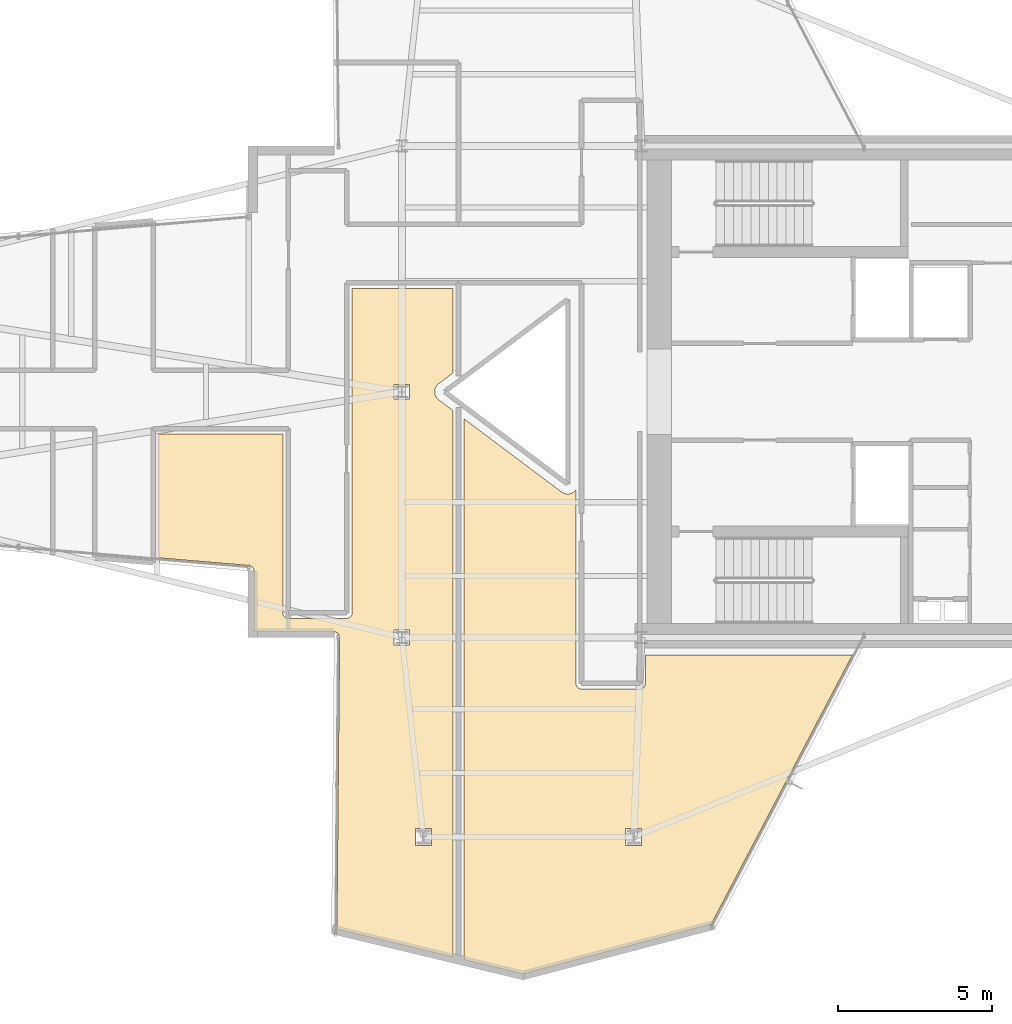
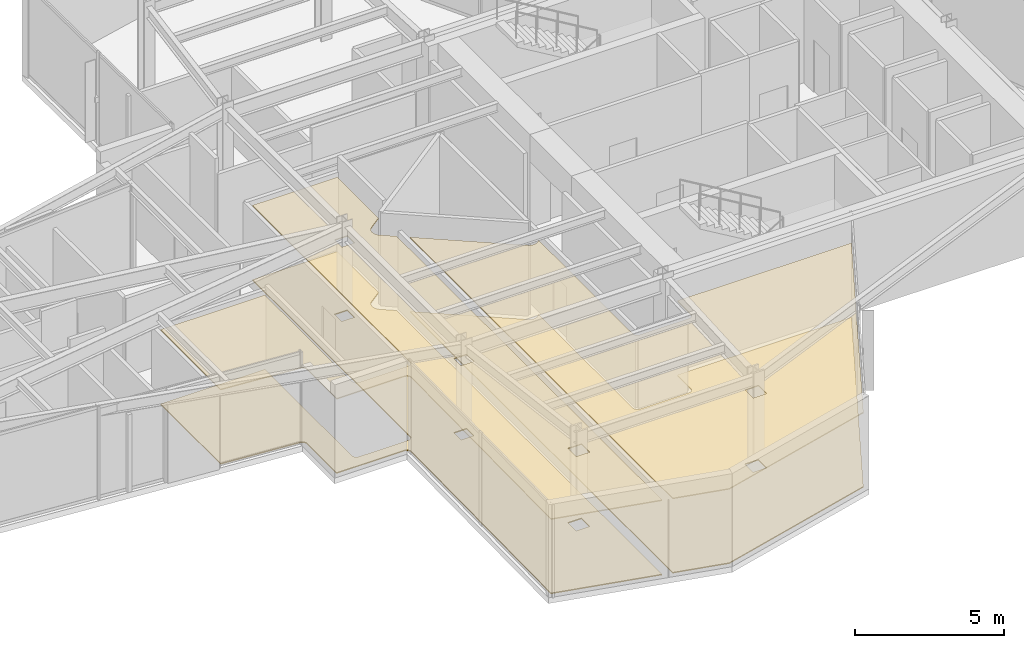
# One storey, part 24 of 25: 4 coverings.
"""IFC4 building model written with IfcOpenShell, lengths in metres."""

from ifc_helpers import new_model, si_unit, direction, frame, origin, place, context, subcontext, project, spatial, polyline, outline, extrude, material, layer, layer_set, type_object, element, save


model = new_model("IFC4")

# Units and contexts
model_context = context("Model", 3, precision=1e-05, world=origin(), true_north=direction((0.0, 1.0)))
body_context = subcontext(model_context, "Body", "Model", "MODEL_VIEW")
ifc_project = project(units=[si_unit("LENGTHUNIT", "METRE"), si_unit("AREAUNIT", "SQUARE_METRE"), si_unit("VOLUMEUNIT", "CUBIC_METRE"), si_unit("PLANEANGLEUNIT", "RADIAN"), si_unit("MASSUNIT", "GRAM", prefix="KILO")], contexts=[model_context])

# Site, building, storey
site_placement = place(None, origin())
site = spatial("IfcSite", under=ifc_project, at=site_placement, CompositionType="ELEMENT")
building_placement = place(site_placement, origin())
building = spatial("IfcBuilding", under=site, at=building_placement, Name="Veymaron Broadcast Tower", CompositionType="ELEMENT")
storey_placement = place(building_placement, frame((0.0, 0.0, 145.199951171875)))
storey = spatial("IfcBuildingStorey", under=building, at=storey_placement, Name="L33", CompositionType="ELEMENT", Elevation=145.199951171875)

# Coverings
ifc_material_1 = material(Name="Perforated acoustic mineral-fibre ceiling tile", Category="gypsum")
ifc_layer_1 = layer(ifc_material_1, 0.0400390625)
ifc_layer_set_1 = layer_set([ifc_layer_1], Name="Perforated acoustic mineral-fibre ceiling tile")
covering_type_1 = type_object("IfcCoveringType", Name="COV-CEIL-ACT", PredefinedType="CEILING", material=ifc_layer_set_1)
covering_1_placement = place(storey_placement, frame((0.0, 0.0, 3.0400390625)))
element("IfcCovering", 1, at=covering_1_placement, inside=storey, type_object=covering_type_1, Name="L33 suspended acoustic ceiling 1", PredefinedType="CEILING", context=body_context, shape_type="SweptSolid", body=[
    extrude(outline(polyline([(36.5869140625, 20.67041015625), (36.601318359375, 20.670166015625), (36.61865234375, 20.670654296875), (36.633056640625, 20.671875), (36.650390625, 20.673828125), (36.66455078125, 20.676513671875), (36.681396484375, 20.680419921875), (36.6953125, 20.68408203125), (36.711669921875, 20.689697265625), (36.72509765625, 20.69482421875), (36.740966796875, 20.701904296875), (36.75390625, 20.708251953125), (36.76904296875, 20.716796875), (36.78125, 20.724365234375), (36.79541015625, 20.734375), (36.806884765625, 20.7431640625), (36.820068359375, 20.75439453125), (36.830810546875, 20.76416015625), (36.8427734375, 20.776611328125), (36.852294921875, 20.787353515625), (36.863037109375, 20.801025390625), (36.8701171875, 20.810546875), (36.8701171875, 14.5), (36.870849609375, 14.482421875), (36.87353515625, 14.46484375), (36.877685546875, 14.44775390625), (36.8837890625, 14.43115234375), (36.891357421875, 14.4150390625), (36.900390625, 14.39990234375), (36.910888671875, 14.3857421875), (36.922607421875, 14.372802734375), (36.935791015625, 14.36083984375), (36.949951171875, 14.350341796875), (36.965087890625, 14.34130859375), (36.981201171875, 14.333740234375), (36.997802734375, 14.327880859375), (37.014892578125, 14.323486328125), (37.032470703125, 14.32080078125), (37.050048828125, 14.320068359375), (38.949951171875, 14.320068359375), (38.967529296875, 14.32080078125), (38.985107421875, 14.323486328125), (39.002197265625, 14.327880859375), (39.018798828125, 14.333740234375), (39.034912109375, 14.34130859375), (39.050048828125, 14.350341796875), (39.064208984375, 14.36083984375), (39.077392578125, 14.372802734375), (39.089111328125, 14.3857421875), (39.099609375, 14.39990234375), (39.108642578125, 14.4150390625), (39.1162109375, 14.43115234375), (39.122314453125, 14.44775390625), (39.12646484375, 14.46484375), (39.129150390625, 14.482421875), (39.1298828125, 14.5), (39.1298828125, 15.419921875), (45.872802734375, 15.419921875), (44.792236328125, 13.359619140625), (41.275146484375, 6.65380859375), (35.14794921875, 5.03564453125), (33.22412109375, 5.49755859375), (33.22412109375, 23.119384765625), (36.402099609375, 20.736083984375), (36.4091796875, 20.73095703125), (36.4208984375, 20.722900390625), (36.435791015625, 20.7138671875), (36.448486328125, 20.70703125), (36.464111328125, 20.699462890625), (36.477294921875, 20.693603515625), (36.49365234375, 20.687744140625), (36.50732421875, 20.683349609375), (36.524169921875, 20.678955078125), (36.5380859375, 20.67578125), (36.555419921875, 20.673095703125), (36.569580078125, 20.67138671875), (36.5869140625, 20.67041015625)]), holes=[polyline([(39.009033203125, 9.777587890625), (38.490966796875, 9.777587890625), (38.490966796875, 9.222412109375), (39.009033203125, 9.222412109375), (39.009033203125, 9.777587890625)])]), origin(), (0.0, 0.0, 1.0), 0.0400390625),
])
covering_2_placement = place(storey_placement, frame((0.0, 0.0, 3.0400390625)))
element("IfcCovering", 2, at=covering_2_placement, inside=storey, type_object=covering_type_1, Name="L33 suspended acoustic ceiling 2", PredefinedType="CEILING", context=body_context, shape_type="SweptSolid", body=[
    extrude(outline(polyline([(27.43115234375, 16.6337890625), (27.44775390625, 16.627685546875), (27.46484375, 16.62353515625), (27.482421875, 16.620849609375), (27.5, 16.6201171875), (29.39990234375, 16.6201171875), (29.41748046875, 16.620849609375), (29.43505859375, 16.62353515625), (29.452392578125, 16.627685546875), (29.468994140625, 16.6337890625), (29.48486328125, 16.641357421875), (29.5, 16.650390625), (29.51416015625, 16.660888671875), (29.52734375, 16.672607421875), (29.5390625, 16.685791015625), (29.5498046875, 16.699951171875), (29.55859375, 16.715087890625), (29.56640625, 16.731201171875), (29.572265625, 16.747802734375), (29.576416015625, 16.764892578125), (29.5791015625, 16.782470703125), (29.580078125, 16.800048828125), (29.580078125, 27.3701171875), (32.864013671875, 27.3701171875), (32.864013671875, 24.610595703125), (32.402099609375, 24.263916015625), (32.39501953125, 24.258544921875), (32.3837890625, 24.249267578125), (32.370849609375, 24.2373046875), (32.360595703125, 24.22705078125), (32.348876953125, 24.2138671875), (32.339599609375, 24.20263671875), (32.3291015625, 24.1884765625), (32.321044921875, 24.17626953125), (32.31201171875, 24.1611328125), (32.305419921875, 24.148193359375), (32.2978515625, 24.13232421875), (32.292236328125, 24.118896484375), (32.286376953125, 24.102294921875), (32.281982421875, 24.088134765625), (32.27783203125, 24.0712890625), (32.27490234375, 24.056884765625), (32.2724609375, 24.039306640625), (32.27099609375, 24.02490234375), (32.270263671875, 24.00732421875), (32.270263671875, 23.99267578125), (32.27099609375, 23.97509765625), (32.2724609375, 23.960693359375), (32.27490234375, 23.943115234375), (32.27783203125, 23.9287109375), (32.281982421875, 23.911865234375), (32.286376953125, 23.897705078125), (32.292236328125, 23.881103515625), (32.2978515625, 23.86767578125), (32.305419921875, 23.851806640625), (32.31201171875, 23.8388671875), (32.321044921875, 23.82373046875), (32.3291015625, 23.8115234375), (32.339599609375, 23.79736328125), (32.348876953125, 23.7861328125), (32.360595703125, 23.77294921875), (32.370849609375, 23.7626953125), (32.3837890625, 23.750732421875), (32.39501953125, 23.741455078125), (32.402099609375, 23.736083984375), (32.864013671875, 23.389404296875), (32.864013671875, 5.583984375), (29.08349609375, 6.49169921875), (29.14697265625, 13.2744140625), (29.172607421875, 15.998291015625), (29.171875, 16.01611328125), (29.169189453125, 16.03369140625), (29.1650390625, 16.05078125), (29.1591796875, 16.067626953125), (29.15185546875, 16.083740234375), (29.142578125, 16.09912109375), (29.132080078125, 16.113525390625), (29.120361328125, 16.126708984375), (29.107421875, 16.138671875), (29.093017578125, 16.1494140625), (29.077880859375, 16.158447265625), (29.061767578125, 16.166015625), (29.045166015625, 16.172119140625), (29.02783203125, 16.176513671875), (29.01025390625, 16.17919921875), (28.992431640625, 16.179931640625), (26.3798828125, 16.179931640625), (26.3798828125, 18.162109375), (26.379150390625, 18.179931640625), (26.37646484375, 18.197509765625), (26.3720703125, 18.21484375), (26.365966796875, 18.231689453125), (26.3583984375, 18.247802734375), (26.34912109375, 18.262939453125), (26.33837890625, 18.277099609375), (26.326416015625, 18.290283203125), (26.31298828125, 18.30224609375), (26.298583984375, 18.312744140625), (26.283203125, 18.32177734375), (26.26708984375, 18.3291015625), (26.250244140625, 18.3349609375), (26.23291015625, 18.339111328125), (26.215087890625, 18.341552734375), (23.280029296875, 18.59033203125), (23.280029296875, 22.6201171875), (27.320068359375, 22.6201171875), (27.320068359375, 16.800048828125), (27.32080078125, 16.782470703125), (27.323486328125, 16.764892578125), (27.327880859375, 16.747802734375), (27.333740234375, 16.731201171875), (27.34130859375, 16.715087890625), (27.350341796875, 16.699951171875), (27.36083984375, 16.685791015625), (27.372802734375, 16.672607421875), (27.3857421875, 16.660888671875), (27.39990234375, 16.650390625), (27.4150390625, 16.641357421875), (27.43115234375, 16.6337890625)]), holes=[polyline([(31.64111328125, 9.777587890625), (31.64111328125, 9.222412109375), (32.158935546875, 9.222412109375), (32.158935546875, 9.777587890625), (31.64111328125, 9.777587890625)]), polyline([(30.950927734375, 16.243408203125), (30.950927734375, 15.756591796875), (31.448974609375, 15.756591796875), (31.448974609375, 16.243408203125), (30.950927734375, 16.243408203125)]), polyline([(31.448974609375, 24.243408203125), (30.950927734375, 24.243408203125), (30.950927734375, 23.756591796875), (31.448974609375, 23.756591796875), (31.448974609375, 24.243408203125)])]), origin(), (0.0, 0.0, 1.0), 0.0400390625),
])
ifc_material_2 = material(Name="galvanized steel raised access floor panel", Category="steel")
ifc_layer_2 = layer(ifc_material_2, 0.0400390625)
ifc_layer_set_2 = layer_set([ifc_layer_2], Name="galvanized steel raised access floor panel")
covering_type_2 = type_object("IfcCoveringType", Name="COV-FLR-RAF", PredefinedType="FLOORING", material=ifc_layer_set_2)
covering_3_placement = place(storey_placement, origin())
element("IfcCovering", 3, at=covering_3_placement, inside=storey, type_object=covering_type_2, Name="L33 finished flooring 1", PredefinedType="FLOORING", context=body_context, shape_type="SweptSolid", body=[
    extrude(outline(polyline([(36.5869140625, 20.67041015625), (36.601318359375, 20.670166015625), (36.61865234375, 20.670654296875), (36.633056640625, 20.671875), (36.650390625, 20.673828125), (36.66455078125, 20.676513671875), (36.681396484375, 20.680419921875), (36.6953125, 20.68408203125), (36.711669921875, 20.689697265625), (36.72509765625, 20.69482421875), (36.740966796875, 20.701904296875), (36.75390625, 20.708251953125), (36.76904296875, 20.716796875), (36.78125, 20.724365234375), (36.79541015625, 20.734375), (36.806884765625, 20.7431640625), (36.820068359375, 20.75439453125), (36.830810546875, 20.76416015625), (36.8427734375, 20.776611328125), (36.852294921875, 20.787353515625), (36.863037109375, 20.801025390625), (36.8701171875, 20.810546875), (36.8701171875, 14.5), (36.870849609375, 14.482421875), (36.87353515625, 14.46484375), (36.877685546875, 14.44775390625), (36.8837890625, 14.43115234375), (36.891357421875, 14.4150390625), (36.900390625, 14.39990234375), (36.910888671875, 14.3857421875), (36.922607421875, 14.372802734375), (36.935791015625, 14.36083984375), (36.949951171875, 14.350341796875), (36.965087890625, 14.34130859375), (36.981201171875, 14.333740234375), (36.997802734375, 14.327880859375), (37.014892578125, 14.323486328125), (37.032470703125, 14.32080078125), (37.050048828125, 14.320068359375), (38.949951171875, 14.320068359375), (38.967529296875, 14.32080078125), (38.985107421875, 14.323486328125), (39.002197265625, 14.327880859375), (39.018798828125, 14.333740234375), (39.034912109375, 14.34130859375), (39.050048828125, 14.350341796875), (39.064208984375, 14.36083984375), (39.077392578125, 14.372802734375), (39.089111328125, 14.3857421875), (39.099609375, 14.39990234375), (39.108642578125, 14.4150390625), (39.1162109375, 14.43115234375), (39.122314453125, 14.44775390625), (39.12646484375, 14.46484375), (39.129150390625, 14.482421875), (39.1298828125, 14.5), (39.1298828125, 15.419921875), (45.872802734375, 15.419921875), (44.792236328125, 13.359619140625), (41.275146484375, 6.65380859375), (35.14794921875, 5.03564453125), (33.22412109375, 5.49755859375), (33.22412109375, 23.119384765625), (36.402099609375, 20.736083984375), (36.4091796875, 20.73095703125), (36.4208984375, 20.722900390625), (36.435791015625, 20.7138671875), (36.448486328125, 20.70703125), (36.464111328125, 20.699462890625), (36.477294921875, 20.693603515625), (36.49365234375, 20.687744140625), (36.50732421875, 20.683349609375), (36.524169921875, 20.678955078125), (36.5380859375, 20.67578125), (36.555419921875, 20.673095703125), (36.569580078125, 20.67138671875), (36.5869140625, 20.67041015625)]), holes=[polyline([(39.009033203125, 9.777587890625), (38.490966796875, 9.777587890625), (38.490966796875, 9.222412109375), (39.009033203125, 9.222412109375), (39.009033203125, 9.777587890625)])]), origin(), (0.0, 0.0, 1.0), 0.0400390625),
])
covering_4_placement = place(storey_placement, origin())
element("IfcCovering", 4, at=covering_4_placement, inside=storey, type_object=covering_type_2, Name="L33 finished flooring 2", PredefinedType="FLOORING", context=body_context, shape_type="SweptSolid", body=[
    extrude(outline(polyline([(27.43115234375, 16.6337890625), (27.44775390625, 16.627685546875), (27.46484375, 16.62353515625), (27.482421875, 16.620849609375), (27.5, 16.6201171875), (29.39990234375, 16.6201171875), (29.41748046875, 16.620849609375), (29.43505859375, 16.62353515625), (29.452392578125, 16.627685546875), (29.468994140625, 16.6337890625), (29.48486328125, 16.641357421875), (29.5, 16.650390625), (29.51416015625, 16.660888671875), (29.52734375, 16.672607421875), (29.5390625, 16.685791015625), (29.5498046875, 16.699951171875), (29.55859375, 16.715087890625), (29.56640625, 16.731201171875), (29.572265625, 16.747802734375), (29.576416015625, 16.764892578125), (29.5791015625, 16.782470703125), (29.580078125, 16.800048828125), (29.580078125, 27.3701171875), (32.864013671875, 27.3701171875), (32.864013671875, 24.610595703125), (32.402099609375, 24.263916015625), (32.39501953125, 24.258544921875), (32.3837890625, 24.249267578125), (32.370849609375, 24.2373046875), (32.360595703125, 24.22705078125), (32.348876953125, 24.2138671875), (32.339599609375, 24.20263671875), (32.3291015625, 24.1884765625), (32.321044921875, 24.17626953125), (32.31201171875, 24.1611328125), (32.305419921875, 24.148193359375), (32.2978515625, 24.13232421875), (32.292236328125, 24.118896484375), (32.286376953125, 24.102294921875), (32.281982421875, 24.088134765625), (32.27783203125, 24.0712890625), (32.27490234375, 24.056884765625), (32.2724609375, 24.039306640625), (32.27099609375, 24.02490234375), (32.270263671875, 24.00732421875), (32.270263671875, 23.99267578125), (32.27099609375, 23.97509765625), (32.2724609375, 23.960693359375), (32.27490234375, 23.943115234375), (32.27783203125, 23.9287109375), (32.281982421875, 23.911865234375), (32.286376953125, 23.897705078125), (32.292236328125, 23.881103515625), (32.2978515625, 23.86767578125), (32.305419921875, 23.851806640625), (32.31201171875, 23.8388671875), (32.321044921875, 23.82373046875), (32.3291015625, 23.8115234375), (32.339599609375, 23.79736328125), (32.348876953125, 23.7861328125), (32.360595703125, 23.77294921875), (32.370849609375, 23.7626953125), (32.3837890625, 23.750732421875), (32.39501953125, 23.741455078125), (32.402099609375, 23.736083984375), (32.864013671875, 23.389404296875), (32.864013671875, 5.583984375), (29.08349609375, 6.49169921875), (29.14697265625, 13.2744140625), (29.172607421875, 15.998291015625), (29.171875, 16.01611328125), (29.169189453125, 16.03369140625), (29.1650390625, 16.05078125), (29.1591796875, 16.067626953125), (29.15185546875, 16.083740234375), (29.142578125, 16.09912109375), (29.132080078125, 16.113525390625), (29.120361328125, 16.126708984375), (29.107421875, 16.138671875), (29.093017578125, 16.1494140625), (29.077880859375, 16.158447265625), (29.061767578125, 16.166015625), (29.045166015625, 16.172119140625), (29.02783203125, 16.176513671875), (29.01025390625, 16.17919921875), (28.992431640625, 16.179931640625), (26.3798828125, 16.179931640625), (26.3798828125, 18.162109375), (26.379150390625, 18.179931640625), (26.37646484375, 18.197509765625), (26.3720703125, 18.21484375), (26.365966796875, 18.231689453125), (26.3583984375, 18.247802734375), (26.34912109375, 18.262939453125), (26.33837890625, 18.277099609375), (26.326416015625, 18.290283203125), (26.31298828125, 18.30224609375), (26.298583984375, 18.312744140625), (26.283203125, 18.32177734375), (26.26708984375, 18.3291015625), (26.250244140625, 18.3349609375), (26.23291015625, 18.339111328125), (26.215087890625, 18.341552734375), (23.280029296875, 18.59033203125), (23.280029296875, 22.6201171875), (27.320068359375, 22.6201171875), (27.320068359375, 16.800048828125), (27.32080078125, 16.782470703125), (27.323486328125, 16.764892578125), (27.327880859375, 16.747802734375), (27.333740234375, 16.731201171875), (27.34130859375, 16.715087890625), (27.350341796875, 16.699951171875), (27.36083984375, 16.685791015625), (27.372802734375, 16.672607421875), (27.3857421875, 16.660888671875), (27.39990234375, 16.650390625), (27.4150390625, 16.641357421875), (27.43115234375, 16.6337890625)]), holes=[polyline([(31.64111328125, 9.777587890625), (31.64111328125, 9.222412109375), (32.158935546875, 9.222412109375), (32.158935546875, 9.777587890625), (31.64111328125, 9.777587890625)]), polyline([(30.950927734375, 16.243408203125), (30.950927734375, 15.756591796875), (31.448974609375, 15.756591796875), (31.448974609375, 16.243408203125), (30.950927734375, 16.243408203125)]), polyline([(31.448974609375, 24.243408203125), (30.950927734375, 24.243408203125), (30.950927734375, 23.756591796875), (31.448974609375, 23.756591796875), (31.448974609375, 24.243408203125)])]), origin(), (0.0, 0.0, 1.0), 0.0400390625),
])

save(model, "model.ifc")
